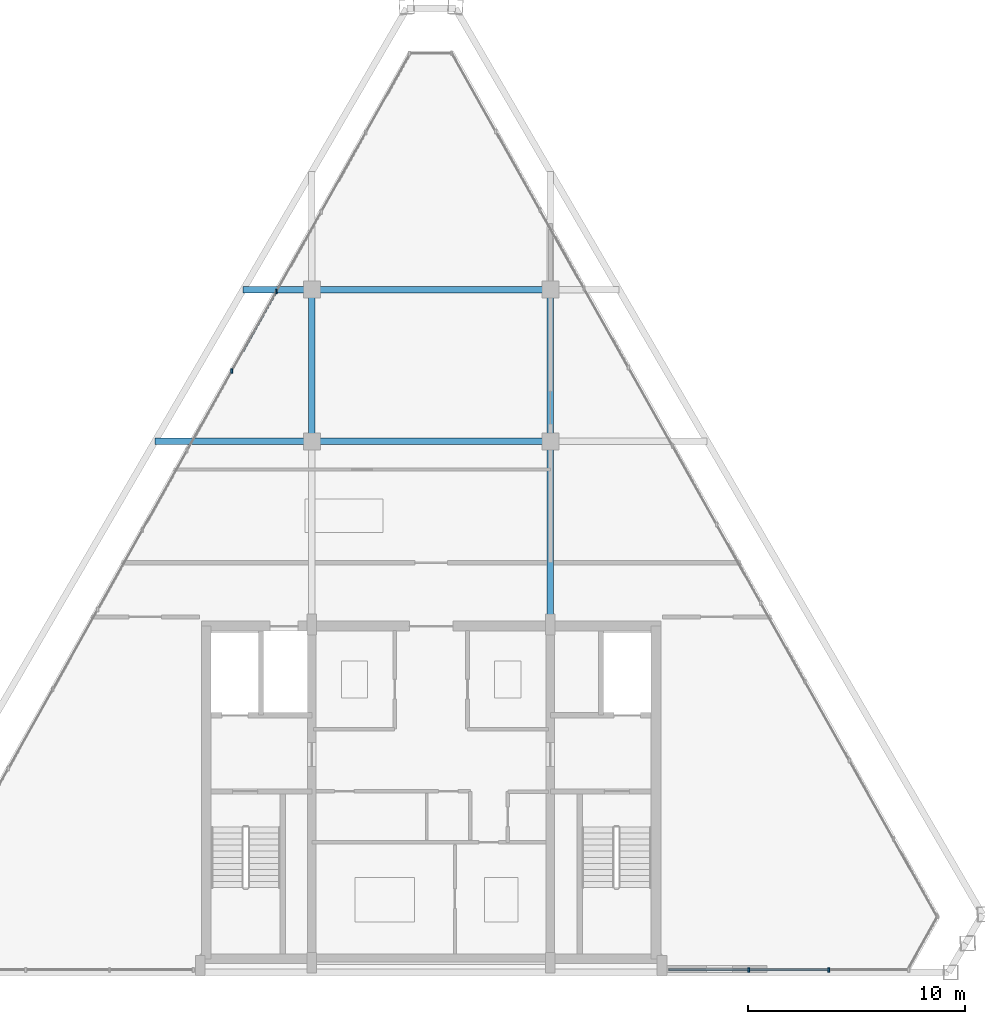
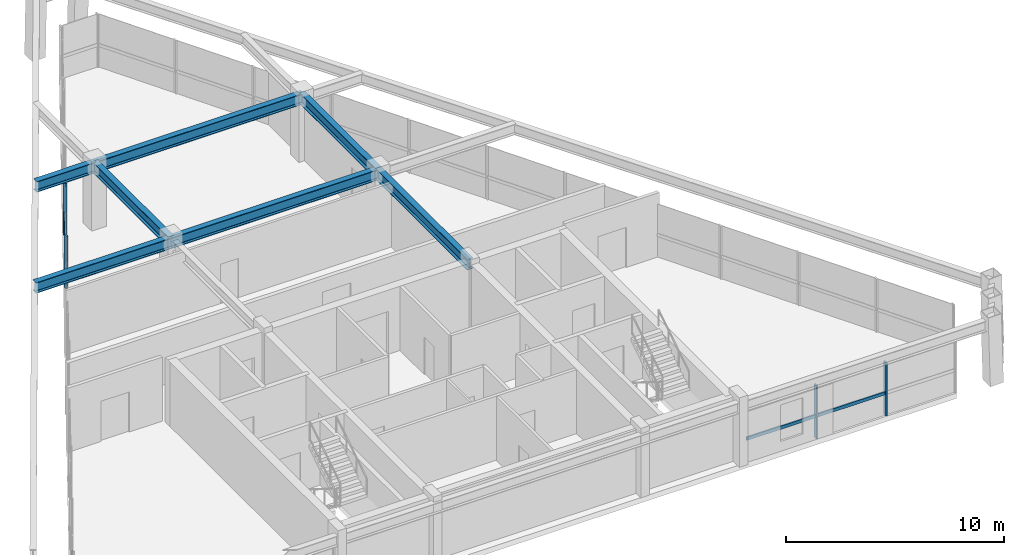
# One storey, part 5 of 12: 7 beams, 7 members, 2 elements without a shape of their own.
"""IFC4 building model written with IfcOpenShell, lengths in metres."""

from ifc_helpers import new_model, si_unit, direction, frame, origin, origin_2d, place, context, subcontext, project, spatial, rectangle, i_section, extrude, source, transform, mapped, material, material_profile, profile_set, type_object, type_shapes, element, aggregate, save


model = new_model("IFC4")

# Units and contexts
model_context = context("Model", 3, precision=1e-05, world=origin(), true_north=direction((0.0, 1.0)))
body_context = subcontext(model_context, "Body", "Model", "MODEL_VIEW")
ifc_project = project(units=[si_unit("LENGTHUNIT", "METRE"), si_unit("AREAUNIT", "SQUARE_METRE"), si_unit("VOLUMEUNIT", "CUBIC_METRE"), si_unit("PLANEANGLEUNIT", "RADIAN"), si_unit("MASSUNIT", "GRAM", prefix="KILO")], contexts=[model_context])

# Site, building, storey
site_placement = place(None, origin())
site = spatial("IfcSite", under=ifc_project, at=site_placement, CompositionType="ELEMENT")
building_placement = place(site_placement, origin())
building = spatial("IfcBuilding", under=site, at=building_placement, Name="Varnakhor Terracotta Tower", CompositionType="ELEMENT")
storey_placement = place(building_placement, frame((0.0, 0.0, 325.300048828125)))
storey = spatial("IfcBuildingStorey", under=building, at=storey_placement, Name="L85 Crown", CompositionType="ELEMENT", Elevation=325.300048828125)

# Beams
ifc_material_1 = material(Name="Steel S355", Category="steel")
ifc_material_profile_1 = material_profile(ifc_material_1, i_section(OverallWidth=0.300048828125, OverallDepth=0.60009765625, WebThickness=0.015380859375, FlangeThickness=0.030029296875, FilletRadius=0.01806640625, at=origin_2d()), Name="HEB600")
ifc_profile_set_1 = profile_set([ifc_material_profile_1], Name="Steel S355")
beam_type = type_object("IfcBeamType", Name="BM-HEB600", PredefinedType="BEAM", material=ifc_profile_set_1)
shared_shape_1 = source(origin(), body_context, "Body", "SweptSolid", [
    extrude(i_section(OverallWidth=0.300048828125, OverallDepth=0.60009765625, WebThickness=0.015380859375, FlangeThickness=0.030029296875, FilletRadius=0.01806640625, at=origin_2d()), origin(), (0.0, 0.0, 1.0), 8.449951171875),
])
beam_1_placement = place(storey_placement, frame((5.5, 16.050048828125, 3.300048828125), z_axis=(0.0, 1.0, 0.0), x_axis=(-1.0, 0.0, 0.0)))
element("IfcBeam", 1, at=beam_1_placement, inside=storey, type_object=beam_type, Name="L85 Crown Primary Girder NS1-E", PredefinedType="BEAM", context=body_context, shape_type="MappedRepresentation", body=[
    mapped(shared_shape_1, transform((0.0, 0.0, 0.0), scale=1.0)),
])
shared_shape_2 = source(origin(), body_context, "Body", "SweptSolid", [
    extrude(i_section(OverallWidth=0.300048828125, OverallDepth=0.60009765625, WebThickness=0.015380859375, FlangeThickness=0.030029296875, FilletRadius=0.01806640625, at=origin_2d()), origin(), (0.0, 0.0, 1.0), 7.0),
])
for number, where, z_axis, x_axis, name in (
    (2, (-5.5, 24.5, 3.300048828125), (0.0, 1.0, 0.0), (-1.0, 0.0, 0.0), "L85 Crown Primary Girder NS2-W"),
    (3, (5.5, 24.5, 3.300048828125), (0.0, 1.0, 0.0), (-1.0, 0.0, 0.0), "L85 Crown Primary Girder NS2-E"),
):
    element("IfcBeam", number, at=place(storey_placement, frame(where, z_axis=z_axis, x_axis=x_axis)), inside=storey, type_object=beam_type, Name=name, PredefinedType="BEAM", context=body_context, shape_type="MappedRepresentation", body=[
        mapped(shared_shape_2, transform((0.0, 0.0, 0.0), scale=1.0)),
    ])
shared_shape_3 = source(origin(), body_context, "Body", "SweptSolid", [
    extrude(i_section(OverallWidth=0.300048828125, OverallDepth=0.60009765625, WebThickness=0.015380859375, FlangeThickness=0.030029296875, FilletRadius=0.01806640625, at=origin_2d()), origin(), (0.0, 0.0, 1.0), 11.0),
])
for number, where, z_axis, x_axis, name in (
    (4, (-5.5, 24.5, 3.300048828125), (1.0, 0.0, 0.0), (0.0, 1.0, 0.0), "L85 Crown Primary Girder EW2-2"),
    (5, (-5.5, 31.5, 3.300048828125), (1.0, 0.0, 0.0), (0.0, 1.0, 0.0), "L85 Crown Primary Girder EW3-2"),
):
    element("IfcBeam", number, at=place(storey_placement, frame(where, z_axis=z_axis, x_axis=x_axis)), inside=storey, type_object=beam_type, Name=name, PredefinedType="BEAM", context=body_context, shape_type="MappedRepresentation", body=[
        mapped(shared_shape_3, transform((0.0, 0.0, 0.0), scale=1.0)),
    ])
shared_shape_4 = source(origin(), body_context, "Body", "SweptSolid", [
    extrude(i_section(OverallWidth=0.300048828125, OverallDepth=0.60009765625, WebThickness=0.015380859375, FlangeThickness=0.030029296875, FilletRadius=0.01806640625, at=origin_2d()), origin(), (0.0, 0.0, 1.0), 7.23828125),
])
beam_2_placement = place(storey_placement, frame((-12.73828125, 24.5, 3.300048828125), z_axis=(1.0, 0.0, 0.0), x_axis=(0.0, 1.0, 0.0)))
element("IfcBeam", 6, at=beam_2_placement, inside=storey, type_object=beam_type, Name="L85 Crown Primary Girder EW2-1", PredefinedType="BEAM", context=body_context, shape_type="MappedRepresentation", body=[
    mapped(shared_shape_4, transform((0.0, 0.0, 0.0), scale=1.0)),
])
shared_shape_5 = source(origin(), body_context, "Body", "SweptSolid", [
    extrude(i_section(OverallWidth=0.300048828125, OverallDepth=0.60009765625, WebThickness=0.015380859375, FlangeThickness=0.030029296875, FilletRadius=0.01806640625, at=origin_2d()), origin(), (0.0, 0.0, 1.0), 3.165283203125),
])
beam_3_placement = place(storey_placement, frame((-8.665283203125, 31.5, 3.300048828125), z_axis=(1.0, 0.0, 0.0), x_axis=(0.0, 1.0, 0.0)))
element("IfcBeam", 7, at=beam_3_placement, inside=storey, type_object=beam_type, Name="L85 Crown Primary Girder EW3-1", PredefinedType="BEAM", context=body_context, shape_type="MappedRepresentation", body=[
    mapped(shared_shape_5, transform((0.0, 0.0, 0.0), scale=1.0)),
])

# Curtain wall, members
ifc_material_2 = material(Name="Anodised Aluminium Curtain Wall System", Category="aluminium")
curtain_wall_type = type_object("IfcCurtainWallType", Name="CW-SYS-CROWN", PredefinedType="NOTDEFINED", material=ifc_material_2)
curtain_wall_1_placement = place(storey_placement, origin())
curtain_wall_1 = element("IfcCurtainWall", 8, at=curtain_wall_1_placement, inside=storey, type_object=curtain_wall_type, Name="L85 Crown Facet Curtain Wall 1", PredefinedType="NOTDEFINED")
ifc_material_3 = material(Name="Anodised Aluminium 6063-T6", Category="aluminium")
ifc_material_profile_2 = material_profile(ifc_material_3, rectangle(XDim=0.080078125, YDim=0.205078125, at=origin_2d()), Name="ALU MULLION 80x205")
ifc_profile_set_2 = profile_set([ifc_material_profile_2], Name="Anodised Aluminium 6063-T6")
member_type_1 = type_object("IfcMemberType", Name="CWM-06", PredefinedType="MULLION", material=ifc_profile_set_2)
shared_shape_6 = source(origin(), body_context, "Body", "SweptSolid", [
    extrude(rectangle(XDim=0.080078125, YDim=0.205078125, at=origin_2d()), origin(), (0.0, 0.0, 1.0), 2.97998046875),
])
type_shapes(member_type_1, [shared_shape_6])
member_1_placement = place(storey_placement, frame((-9.1923828125, 27.745361328125, 0.0), z_axis=(0.0, 0.0, 1.0), x_axis=(1.0, 0.0, 0.0)))
member_1 = element("IfcMember", 9, at=member_1_placement, type_object=member_type_1, Name="L85 Crown Facet Curtain Wall 1 Mullion 8", PredefinedType="MULLION", context=body_context, shape_type="MappedRepresentation", body=[
    mapped(shared_shape_6, transform((0.0, 0.0, 0.0), scale=1.0)),
])
member_2_placement = place(storey_placement, frame((-7.13037109375, 31.414306640625, 0.0), z_axis=(0.0, 0.0, 1.0), x_axis=(1.0, 0.0, 0.0)))
member_2 = element("IfcMember", 10, at=member_2_placement, type_object=member_type_1, Name="L85 Crown Facet Curtain Wall 1 Mullion 9", PredefinedType="MULLION", context=body_context, shape_type="MappedRepresentation", body=[
    mapped(shared_shape_6, transform((0.0, 0.0, 0.0), scale=1.0)),
])

curtain_wall_2_placement = place(storey_placement, origin())
curtain_wall_2 = element("IfcCurtainWall", 11, at=curtain_wall_2_placement, inside=storey, type_object=curtain_wall_type, Name="L85 Crown South Wing Curtain Wall SSE", PredefinedType="NOTDEFINED")
member_3_placement = place(storey_placement, frame((18.3466796875, 0.1201171875, 0.0), z_axis=(0.0, 0.0, 1.0), x_axis=(1.0, 0.0, 0.0)))
member_3 = element("IfcMember", 12, at=member_3_placement, type_object=member_type_1, Name="L85 Crown South Wing Curtain Wall SSE Mullion 2", PredefinedType="MULLION", context=body_context, shape_type="MappedRepresentation", body=[
    mapped(shared_shape_6, transform((0.0, 0.0, 0.0), scale=1.0)),
])
member_4_placement = place(storey_placement, frame((14.658203125, 0.1201171875, 0.0), z_axis=(0.0, 0.0, 1.0), x_axis=(1.0, 0.0, 0.0)))
member_4 = element("IfcMember", 13, at=member_4_placement, type_object=member_type_1, Name="L85 Crown South Wing Curtain Wall SSE Mullion 3", PredefinedType="MULLION", context=body_context, shape_type="MappedRepresentation", body=[
    mapped(shared_shape_6, transform((0.0, 0.0, 0.0), scale=1.0)),
])

# Member
ifc_material_profile_3 = material_profile(ifc_material_3, rectangle(XDim=0.080078125, YDim=0.179931640625, at=origin_2d()), Name="ALU TRANSOM 80x180")
ifc_profile_set_3 = profile_set([ifc_material_profile_3], Name="Anodised Aluminium 6063-T6")
member_type_2 = type_object("IfcMemberType", Name="CWT-06", PredefinedType="USERDEFINED", material=ifc_profile_set_3)
shared_shape_7 = source(origin(), body_context, "Body", "SweptSolid", [
    extrude(rectangle(XDim=0.080078125, YDim=0.179931640625, at=origin_2d()), origin(), (0.0, 0.0, 1.0), 4.208740234375),
])
member_5_placement = place(storey_placement, frame((-9.1923828125, 27.745361328125, 1.25146484375), z_axis=(0.489941728353, 0.87175518514, 0.0), x_axis=(-0.87175518514, 0.489941728353, 0.0)))
member_5 = element("IfcMember", 14, at=member_5_placement, type_object=member_type_2, Name="L85 Crown Facet Curtain Wall 1 Transom 8", ObjectType="TRANSOM", PredefinedType="USERDEFINED", context=body_context, shape_type="MappedRepresentation", body=[
    mapped(shared_shape_7, transform((0.0, 0.0, 0.0), scale=1.0)),
])

aggregate(curtain_wall_1, [member_1, member_5, member_2])

shared_shape_8 = source(origin(), body_context, "Body", "SweptSolid", [
    extrude(rectangle(XDim=0.080078125, YDim=0.179931640625, at=origin_2d()), origin(), (0.0, 0.0, 1.0), 3.688232421875),
])
member_6_placement = place(storey_placement, frame((14.658203125, 0.1201171875, 1.25146484375), z_axis=(-1.0, 0.0, 0.0), x_axis=(0.0, -1.0, 0.0)))
member_6 = element("IfcMember", 15, at=member_6_placement, type_object=member_type_2, Name="L85 Crown South Wing Curtain Wall SSE Transom 3", ObjectType="TRANSOM", PredefinedType="USERDEFINED", context=body_context, shape_type="MappedRepresentation", body=[
    mapped(shared_shape_8, transform((0.0, 0.0, 0.0), scale=1.0)),
])

shared_shape_9 = source(origin(), body_context, "Body", "SweptSolid", [
    extrude(rectangle(XDim=0.080078125, YDim=0.179931640625, at=origin_2d()), origin(), (0.0, 0.0, 1.0), 3.6884765625),
])
member_7_placement = place(storey_placement, frame((18.3466796875, 0.1201171875, 1.25146484375), z_axis=(-1.0, 0.0, 0.0), x_axis=(0.0, -1.0, 0.0)))
member_7 = element("IfcMember", 16, at=member_7_placement, type_object=member_type_2, Name="L85 Crown South Wing Curtain Wall SSE Transom 2", ObjectType="TRANSOM", PredefinedType="USERDEFINED", context=body_context, shape_type="MappedRepresentation", body=[
    mapped(shared_shape_9, transform((0.0, 0.0, 0.0), scale=1.0)),
])

aggregate(curtain_wall_2, [member_3, member_7, member_4, member_6])

save(model, "model.ifc")
